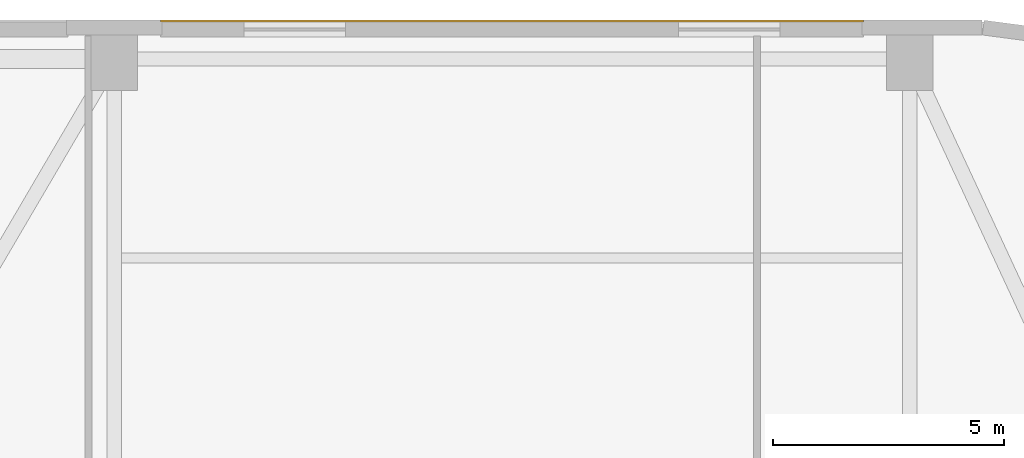
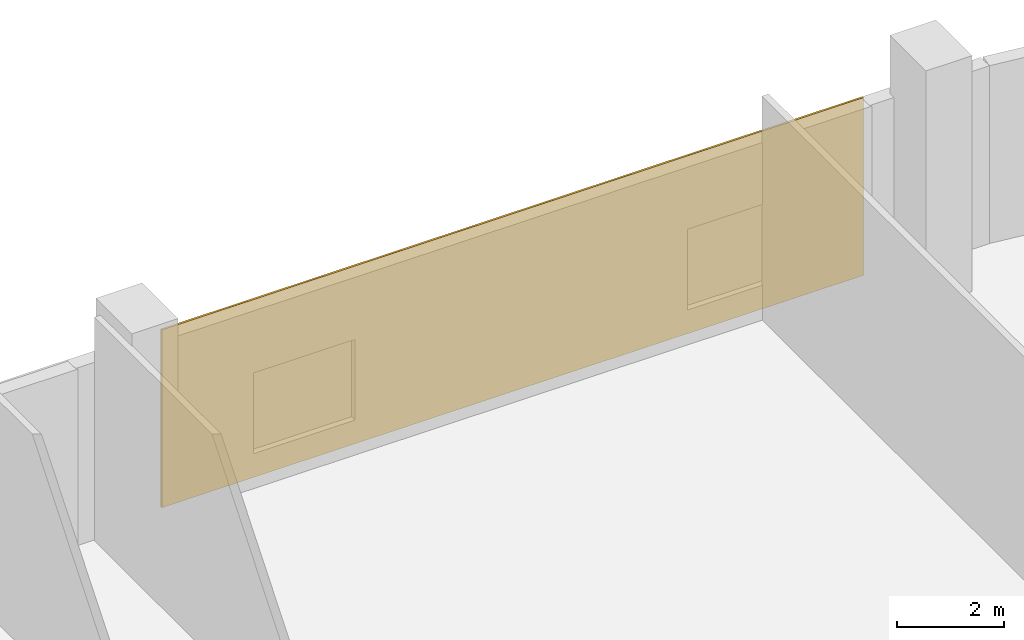
# One storey, part 36 of 36: 1 covering.
"""IFC4 building model written with IfcOpenShell, lengths in metres."""

from ifc_helpers import new_model, si_unit, direction, frame, origin, origin_2d, place, context, subcontext, project, spatial, rectangle, extrude, source, transform, mapped, material, layer, layer_set, type_object, element, save


model = new_model("IFC4")

# Units and contexts
model_context = context("Model", 3, precision=1e-05, world=origin(), true_north=direction((0.0, 1.0)))
body_context = subcontext(model_context, "Body", "Model", "MODEL_VIEW")
ifc_project = project(units=[si_unit("LENGTHUNIT", "METRE"), si_unit("AREAUNIT", "SQUARE_METRE"), si_unit("VOLUMEUNIT", "CUBIC_METRE"), si_unit("PLANEANGLEUNIT", "RADIAN"), si_unit("MASSUNIT", "GRAM", prefix="KILO")], contexts=[model_context])

# Site, building, storey
site_placement = place(None, origin())
site = spatial("IfcSite", under=ifc_project, at=site_placement, CompositionType="ELEMENT")
building_placement = place(site_placement, origin())
building = spatial("IfcBuilding", under=site, at=building_placement, Name="Varnelok Gate Tower", CompositionType="ELEMENT")
storey_placement = place(building_placement, frame((0.0, 0.0, 10.800048828125)))
storey = spatial("IfcBuildingStorey", under=building, at=storey_placement, Name="L02", CompositionType="ELEMENT", Elevation=10.800048828125)

# Covering
ifc_material = material(Name="Glazed Architectural Terracotta Ceramic", Category="masonry")
ifc_layer = layer(ifc_material, 0.044921875)
ifc_layer_set = layer_set([ifc_layer], Name="Glazed Architectural Terracotta Ceramic")
covering_type = type_object("IfcCoveringType", Name="COV-TERRA-CLAD", PredefinedType="CLADDING", material=ifc_layer_set)
shared_shape = source(origin(), body_context, "Body", "SweptSolid", [
    extrude(rectangle(XDim=15.199951171875, YDim=0.044921875, at=origin_2d()), origin(), (0.0, 0.0, 1.0), 4.070068359375),
])
covering_placement = place(storey_placement, frame((62.60009765625, 50.6220703125, 0.0), z_axis=(0.0, 0.0, 1.0), x_axis=(1.0, 0.0, 0.0)))
element("IfcCovering", 1, at=covering_placement, inside=storey, type_object=covering_type, Name="L02 Terracotta Podium Rainscreen Cladding N3", PredefinedType="CLADDING", context=body_context, shape_type="MappedRepresentation", body=[
    mapped(shared_shape, transform((0.0, 0.0, 0.0), scale=1.0)),
])

save(model, "model.ifc")
